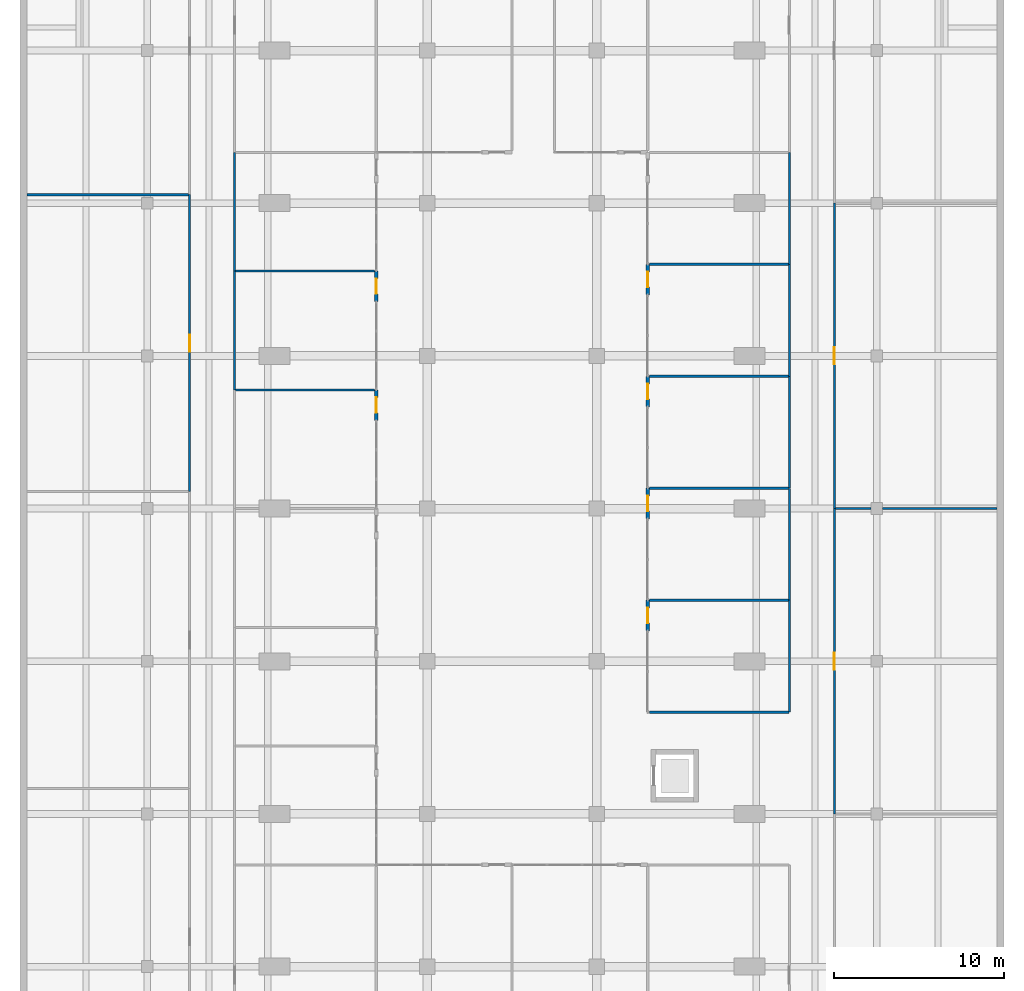
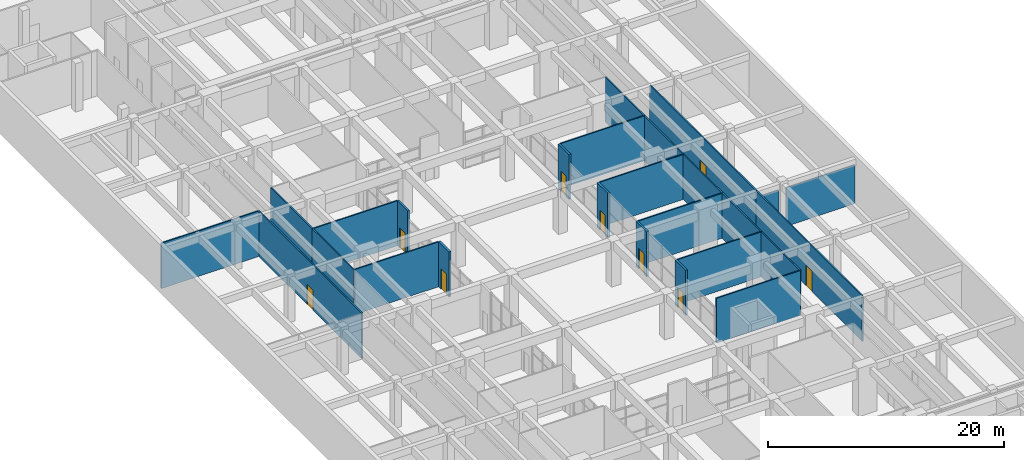
# One storey, part 21 of 29: 26 walls, 9 doors, 9 openings.
"""IFC4 building model written with IfcOpenShell, lengths in metres."""

from ifc_helpers import new_model, si_unit, direction, frame, frame_2d, origin, place, context, subcontext, project, spatial, rectangle, extrude, material, layer, layer_set, type_object, element, fill, save


model = new_model("IFC4")

# Units and contexts
model_context = context("Model", 3, precision=1e-05, world=origin(), true_north=direction((0.0, 1.0)))
body_context = subcontext(model_context, "Body", "Model", "MODEL_VIEW")
ifc_project = project(units=[si_unit("LENGTHUNIT", "METRE"), si_unit("AREAUNIT", "SQUARE_METRE"), si_unit("VOLUMEUNIT", "CUBIC_METRE"), si_unit("PLANEANGLEUNIT", "RADIAN"), si_unit("MASSUNIT", "GRAM", prefix="KILO")], contexts=[model_context])

# Site, building, storey
site_placement = place(None, origin())
site = spatial("IfcSite", under=ifc_project, at=site_placement, CompositionType="ELEMENT")
building_placement = place(site_placement, origin())
building = spatial("IfcBuilding", under=site, at=building_placement, Name="Elmora Arch Market Hall", CompositionType="ELEMENT")
storey_placement = place(building_placement, frame((0.0, 0.0, -5.0)))
storey = spatial("IfcBuildingStorey", under=building, at=storey_placement, Name="LG", CompositionType="ELEMENT", Elevation=-5.0)

# Wall, opening, door
ifc_material_1 = material(Name="Concrete C40/50", Category="concrete")
ifc_layer_1 = layer(ifc_material_1, 0.199951171875)
ifc_layer_set_1 = layer_set([ifc_layer_1], Name="Concrete C40/50")
wall_type_1 = type_object("IfcWallType", Name="Concrete shopfront pier 200", PredefinedType="PARTITIONING", material=ifc_layer_set_1)
wall_1_placement = place(storey_placement, frame((21.0, 68.199951171875, 0.0), z_axis=(0.0, 0.0, 1.0), x_axis=(0.0, 1.0, 0.0)))
wall_1 = element("IfcWall", 1, at=wall_1_placement, inside=storey, type_object=wall_type_1, Name="Lower ground shopfront pier W4", PredefinedType="PARTITIONING", context=body_context, shape_type="SweptSolid", body=[
    extrude(rectangle(XDim=1.800048828125, YDim=0.199951171875, at=frame_2d((0.89990234375, 0.0))), origin(), (0.0, 0.0, 1.0), 4.64990234375),
])
opening_1_placement = place(wall_1_placement, frame((0.449951171875, 0.0, 0.0)))
opening_1 = element("IfcOpeningElement", 2, at=opening_1_placement, cuts=wall_1, Name="Opening SD-LG-W4", PredefinedType="OPENING", context=body_context, shape_type="SweptSolid", body=[
    extrude(rectangle(XDim=0.89990234375, YDim=2.10009765625, at=frame_2d((0.449951171875, 1.050048828125))), frame((0.0, 0.10986328125, 0.0), z_axis=(0.0, -1.0, 0.0), x_axis=(1.0, 0.0, 0.0)), (0.0, 0.0, 1.0), 0.219970703125),
])
ifc_material_2 = material(Name="Glazed aluminium", Category="aluminium")
door_type_1 = type_object("IfcDoorType", Name="Lower ground shop door 900x2100", OperationType="SINGLE_SWING_LEFT", PredefinedType="DOOR", material=ifc_material_2)
door_1_placement = place(opening_1_placement, origin())
door_1 = element("IfcDoor", 3, at=door_1_placement, inside=storey, type_object=door_type_1, Name="Lower ground shop door W4", OperationType="SINGLE_SWING_RIGHT", OverallHeight=2.10009765625, OverallWidth=0.89990234375, PredefinedType="DOOR", context=body_context, shape_type="SweptSolid", body=[
    extrude(rectangle(XDim=0.89990234375, YDim=2.10009765625, at=frame_2d((0.449951171875, 1.050048828125))), frame((0.0, 0.02490234375, 0.0), z_axis=(0.0, -1.0, 0.0), x_axis=(1.0, 0.0, 0.0)), (0.0, 0.0, 1.0), 0.050048828125),
])
fill(opening_1, door_1)

wall_2_placement = place(storey_placement, frame((21.0, 75.199951171875, 0.0), z_axis=(0.0, 0.0, 1.0), x_axis=(0.0, 1.0, 0.0)))
wall_2 = element("IfcWall", 4, at=wall_2_placement, inside=storey, type_object=wall_type_1, Name="Lower ground shopfront pier W5", PredefinedType="PARTITIONING", context=body_context, shape_type="SweptSolid", body=[
    extrude(rectangle(XDim=1.800048828125, YDim=0.199951171875, at=frame_2d((0.89990234375, 0.0))), origin(), (0.0, 0.0, 1.0), 4.64990234375),
])
opening_2_placement = place(wall_2_placement, frame((0.449951171875, 0.0, 0.0)))
opening_2 = element("IfcOpeningElement", 5, at=opening_2_placement, cuts=wall_2, Name="Opening SD-LG-W5", PredefinedType="OPENING", context=body_context, shape_type="SweptSolid", body=[
    extrude(rectangle(XDim=0.89990234375, YDim=2.10009765625, at=frame_2d((0.449951171875, 1.050048828125))), frame((0.0, 0.10986328125, 0.0), z_axis=(0.0, -1.0, 0.0), x_axis=(1.0, 0.0, 0.0)), (0.0, 0.0, 1.0), 0.219970703125),
])
door_2_placement = place(opening_2_placement, origin())
door_2 = element("IfcDoor", 6, at=door_2_placement, inside=storey, type_object=door_type_1, Name="Lower ground shop door W5", OperationType="SINGLE_SWING_RIGHT", OverallHeight=2.10009765625, OverallWidth=0.89990234375, PredefinedType="DOOR", context=body_context, shape_type="SweptSolid", body=[
    extrude(rectangle(XDim=0.89990234375, YDim=2.10009765625, at=frame_2d((0.449951171875, 1.050048828125))), frame((0.0, 0.02490234375, 0.0), z_axis=(0.0, -1.0, 0.0), x_axis=(1.0, 0.0, 0.0)), (0.0, 0.0, 1.0), 0.050048828125),
])
fill(opening_2, door_2)

wall_3_placement = place(storey_placement, frame((37.0, 57.60009765625, 0.0), z_axis=(0.0, 0.0, 1.0), x_axis=(0.0, -1.0, 0.0)))
wall_3 = element("IfcWall", 7, at=wall_3_placement, inside=storey, type_object=wall_type_1, Name="Lower ground shopfront pier E1", PredefinedType="PARTITIONING", context=body_context, shape_type="SweptSolid", body=[
    extrude(rectangle(XDim=1.800048828125, YDim=0.199951171875, at=frame_2d((0.89990234375, 0.0))), origin(), (0.0, 0.0, 1.0), 4.64990234375),
])
opening_3_placement = place(wall_3_placement, frame((0.449951171875, 0.0, 0.0)))
opening_3 = element("IfcOpeningElement", 8, at=opening_3_placement, cuts=wall_3, Name="Opening SD-LG-E1", PredefinedType="OPENING", context=body_context, shape_type="SweptSolid", body=[
    extrude(rectangle(XDim=0.89990234375, YDim=2.10009765625, at=frame_2d((0.449951171875, 1.050048828125))), frame((0.0, 0.10986328125, 0.0), z_axis=(0.0, -1.0, 0.0), x_axis=(1.0, 0.0, 0.0)), (0.0, 0.0, 1.0), 0.219970703125),
])
door_3_placement = place(opening_3_placement, origin())
door_3 = element("IfcDoor", 9, at=door_3_placement, inside=storey, type_object=door_type_1, Name="Lower ground shop door E1", OperationType="SINGLE_SWING_LEFT", OverallHeight=2.10009765625, OverallWidth=0.89990234375, PredefinedType="DOOR", context=body_context, shape_type="SweptSolid", body=[
    extrude(rectangle(XDim=0.89990234375, YDim=2.10009765625, at=frame_2d((0.449951171875, 1.050048828125))), frame((0.0, 0.02490234375, 0.0), z_axis=(0.0, -1.0, 0.0), x_axis=(1.0, 0.0, 0.0)), (0.0, 0.0, 1.0), 0.050048828125),
])
fill(opening_3, door_3)

wall_4_placement = place(storey_placement, frame((37.0, 64.199951171875, 0.0), z_axis=(0.0, 0.0, 1.0), x_axis=(0.0, -1.0, 0.0)))
wall_4 = element("IfcWall", 10, at=wall_4_placement, inside=storey, type_object=wall_type_1, Name="Lower ground shopfront pier E2", PredefinedType="PARTITIONING", context=body_context, shape_type="SweptSolid", body=[
    extrude(rectangle(XDim=1.800048828125, YDim=0.199951171875, at=frame_2d((0.89990234375, 0.0))), origin(), (0.0, 0.0, 1.0), 4.64990234375),
])
opening_4_placement = place(wall_4_placement, frame((0.449951171875, 0.0, 0.0)))
opening_4 = element("IfcOpeningElement", 11, at=opening_4_placement, cuts=wall_4, Name="Opening SD-LG-E2", PredefinedType="OPENING", context=body_context, shape_type="SweptSolid", body=[
    extrude(rectangle(XDim=0.89990234375, YDim=2.10009765625, at=frame_2d((0.449951171875, 1.050048828125))), frame((0.0, 0.10986328125, 0.0), z_axis=(0.0, -1.0, 0.0), x_axis=(1.0, 0.0, 0.0)), (0.0, 0.0, 1.0), 0.219970703125),
])
door_4_placement = place(opening_4_placement, origin())
door_4 = element("IfcDoor", 12, at=door_4_placement, inside=storey, type_object=door_type_1, Name="Lower ground shop door E2", OperationType="SINGLE_SWING_LEFT", OverallHeight=2.10009765625, OverallWidth=0.89990234375, PredefinedType="DOOR", context=body_context, shape_type="SweptSolid", body=[
    extrude(rectangle(XDim=0.89990234375, YDim=2.10009765625, at=frame_2d((0.449951171875, 1.050048828125))), frame((0.0, 0.02490234375, 0.0), z_axis=(0.0, -1.0, 0.0), x_axis=(1.0, 0.0, 0.0)), (0.0, 0.0, 1.0), 0.050048828125),
])
fill(opening_4, door_4)

wall_5_placement = place(storey_placement, frame((37.0, 70.800048828125, 0.0), z_axis=(0.0, 0.0, 1.0), x_axis=(0.0, -1.0, 0.0)))
wall_5 = element("IfcWall", 13, at=wall_5_placement, inside=storey, type_object=wall_type_1, Name="Lower ground shopfront pier E3", PredefinedType="PARTITIONING", context=body_context, shape_type="SweptSolid", body=[
    extrude(rectangle(XDim=1.800048828125, YDim=0.199951171875, at=frame_2d((0.89990234375, 0.0))), origin(), (0.0, 0.0, 1.0), 4.64990234375),
])
opening_5_placement = place(wall_5_placement, frame((0.449951171875, 0.0, 0.0)))
opening_5 = element("IfcOpeningElement", 14, at=opening_5_placement, cuts=wall_5, Name="Opening SD-LG-E3", PredefinedType="OPENING", context=body_context, shape_type="SweptSolid", body=[
    extrude(rectangle(XDim=0.89990234375, YDim=2.10009765625, at=frame_2d((0.449951171875, 1.050048828125))), frame((0.0, 0.10986328125, 0.0), z_axis=(0.0, -1.0, 0.0), x_axis=(1.0, 0.0, 0.0)), (0.0, 0.0, 1.0), 0.219970703125),
])
door_5_placement = place(opening_5_placement, origin())
door_5 = element("IfcDoor", 15, at=door_5_placement, inside=storey, type_object=door_type_1, Name="Lower ground shop door E3", OperationType="SINGLE_SWING_LEFT", OverallHeight=2.10009765625, OverallWidth=0.89990234375, PredefinedType="DOOR", context=body_context, shape_type="SweptSolid", body=[
    extrude(rectangle(XDim=0.89990234375, YDim=2.10009765625, at=frame_2d((0.449951171875, 1.050048828125))), frame((0.0, 0.02490234375, 0.0), z_axis=(0.0, -1.0, 0.0), x_axis=(1.0, 0.0, 0.0)), (0.0, 0.0, 1.0), 0.050048828125),
])
fill(opening_5, door_5)

wall_6_placement = place(storey_placement, frame((37.0, 77.39990234375, 0.0), z_axis=(0.0, 0.0, 1.0), x_axis=(0.0, -1.0, 0.0)))
wall_6 = element("IfcWall", 16, at=wall_6_placement, inside=storey, type_object=wall_type_1, Name="Lower ground shopfront pier E4", PredefinedType="PARTITIONING", context=body_context, shape_type="SweptSolid", body=[
    extrude(rectangle(XDim=1.7998046875, YDim=0.199951171875, at=frame_2d((0.89990234375, 0.0))), origin(), (0.0, 0.0, 1.0), 4.64990234375),
])
opening_6_placement = place(wall_6_placement, frame((0.449951171875, 0.0, 0.0)))
opening_6 = element("IfcOpeningElement", 17, at=opening_6_placement, cuts=wall_6, Name="Opening SD-LG-E4", PredefinedType="OPENING", context=body_context, shape_type="SweptSolid", body=[
    extrude(rectangle(XDim=0.89990234375, YDim=2.10009765625, at=frame_2d((0.449951171875, 1.050048828125))), frame((0.0, 0.10986328125, 0.0), z_axis=(0.0, -1.0, 0.0), x_axis=(1.0, 0.0, 0.0)), (0.0, 0.0, 1.0), 0.219970703125),
])
door_6_placement = place(opening_6_placement, origin())
door_6 = element("IfcDoor", 18, at=door_6_placement, inside=storey, type_object=door_type_1, Name="Lower ground shop door E4", OperationType="SINGLE_SWING_LEFT", OverallHeight=2.10009765625, OverallWidth=0.89990234375, PredefinedType="DOOR", context=body_context, shape_type="SweptSolid", body=[
    extrude(rectangle(XDim=0.89990234375, YDim=2.10009765625, at=frame_2d((0.449951171875, 1.050048828125))), frame((0.0, 0.02490234375, 0.0), z_axis=(0.0, -1.0, 0.0), x_axis=(1.0, 0.0, 0.0)), (0.0, 0.0, 1.0), 0.050048828125),
])
fill(opening_6, door_6)

# Walls
ifc_material_3 = material(Name="Gypsum board on metal studs")
ifc_layer_2 = layer(ifc_material_3, 0.125)
ifc_layer_set_2 = layer_set([ifc_layer_2], Name="Gypsum board on metal studs")
wall_type_2 = type_object("IfcWallType", Name="Partition 125 EI 60", PredefinedType="PARTITIONING", material=ifc_layer_set_2)
wall_7_placement = place(storey_placement, frame((37.10009765625, 51.0, 0.0), z_axis=(0.0, 0.0, 1.0), x_axis=(1.0, 0.0, 0.0)))
element("IfcWall", 19, at=wall_7_placement, inside=storey, type_object=wall_type_2, Name="Partition PT-LG-025", PredefinedType="PARTITIONING", context=body_context, shape_type="SweptSolid", body=[
    extrude(rectangle(XDim=8.239990234375, YDim=0.125, at=frame_2d((4.1201171875, 0.0))), origin(), (0.0, 0.0, 1.0), 4.64990234375),
])
wall_8_placement = place(storey_placement, frame((37.10009765625, 57.60009765625, 0.0), z_axis=(0.0, 0.0, 1.0), x_axis=(1.0, 0.0, 0.0)))
element("IfcWall", 20, at=wall_8_placement, inside=storey, type_object=wall_type_2, Name="Partition PT-LG-027", PredefinedType="PARTITIONING", context=body_context, shape_type="SweptSolid", body=[
    extrude(rectangle(XDim=8.1875, YDim=0.125, at=frame_2d((4.09375, 0.0))), origin(), (0.0, 0.0, 1.0), 4.64990234375),
])
wall_9_placement = place(storey_placement, frame((48.0625, 63.0, 0.0), z_axis=(0.0, 0.0, 1.0), x_axis=(1.0, 0.0, 0.0)))
element("IfcWall", 21, at=wall_9_placement, inside=storey, type_object=wall_type_2, Name="Partition PT-LG-030-31", PredefinedType="PARTITIONING", context=body_context, shape_type="SweptSolid", body=[
    extrude(rectangle(XDim=2.08740234375, YDim=0.125, at=frame_2d((1.043701171875, 0.0))), origin(), (0.0, 0.0, 1.0), 4.0),
])
wall_10_placement = place(storey_placement, frame((50.85009765625, 63.0, 0.0), z_axis=(0.0, 0.0, 1.0), x_axis=(1.0, 0.0, 0.0)))
element("IfcWall", 22, at=wall_10_placement, inside=storey, type_object=wall_type_2, Name="Partition PT-LG-030-32", PredefinedType="PARTITIONING", context=body_context, shape_type="SweptSolid", body=[
    extrude(rectangle(XDim=6.75, YDim=0.125, at=frame_2d((3.375, 0.0))), origin(), (0.0, 0.0, 1.0), 4.0),
])
for number, where, z_axis, x_axis, name in (
    (23, (37.10009765625, 64.199951171875, 0.0), (0.0, 0.0, 1.0), (1.0, 0.0, 0.0), "Partition PT-LG-032"),
    (24, (12.71240234375, 70.0, 0.0), (0.0, 0.0, 1.0), (1.0, 0.0, 0.0), "Partition PT-LG-033"),
    (25, (37.10009765625, 70.800048828125, 0.0), (0.0, 0.0, 1.0), (1.0, 0.0, 0.0), "Partition PT-LG-034"),
    (26, (12.71240234375, 77.0, 0.0), (0.0, 0.0, 1.0), (1.0, 0.0, 0.0), "Partition PT-LG-035"),
    (27, (37.10009765625, 77.39990234375, 0.0), (0.0, 0.0, 1.0), (1.0, 0.0, 0.0), "Partition PT-LG-036"),
):
    element("IfcWall", number, at=place(storey_placement, frame(where, z_axis=z_axis, x_axis=x_axis)), inside=storey, type_object=wall_type_2, Name=name, PredefinedType="PARTITIONING", context=body_context, shape_type="SweptSolid", body=[
        extrude(rectangle(XDim=8.1875, YDim=0.125, at=frame_2d((4.09375, 0.0))), origin(), (0.0, 0.0, 1.0), 4.64990234375),
    ])
wall_11_placement = place(storey_placement, frame((0.39990234375, 81.5, 0.0), z_axis=(0.0, 0.0, 1.0), x_axis=(1.0, 0.0, 0.0)))
element("IfcWall", 28, at=wall_11_placement, inside=storey, type_object=wall_type_2, Name="Partition PT-LG-038", PredefinedType="PARTITIONING", context=body_context, shape_type="SweptSolid", body=[
    extrude(rectangle(XDim=9.53759765625, YDim=0.125, at=frame_2d((4.768798828125, 0.0))), origin(), (0.0, 0.0, 1.0), 4.699951171875),
])

# Wall, opening, door
wall_12_placement = place(storey_placement, frame((10.0, 64.0, 0.0), z_axis=(0.0, 0.0, 1.0), x_axis=(0.0, 1.0, 0.0)))
wall_12 = element("IfcWall", 29, at=wall_12_placement, inside=storey, type_object=wall_type_2, Name="Partition PT-LG-080", PredefinedType="PARTITIONING", context=body_context, shape_type="SweptSolid", body=[
    extrude(rectangle(XDim=17.5, YDim=0.125, at=frame_2d((8.75, 0.0))), origin(), (0.0, 0.0, 1.0), 4.699951171875),
])
opening_7_placement = place(wall_12_placement, frame((8.25, 0.0, 0.0)))
opening_7 = element("IfcOpeningElement", 30, at=opening_7_placement, cuts=wall_12, Name="Opening D-LG-014", PredefinedType="OPENING", context=body_context, shape_type="SweptSolid", body=[
    extrude(rectangle(XDim=1.0, YDim=2.10009765625, at=frame_2d((0.5, 1.050048828125))), frame((0.0, 0.072509765625, 0.0), z_axis=(0.0, -1.0, 0.0), x_axis=(1.0, 0.0, 0.0)), (0.0, 0.0, 1.0), 0.14501953125),
])
ifc_material_4 = material(Name="Steel ASTM A653 galvanised", Category="steel")
door_type_2 = type_object("IfcDoorType", Name="Door 1000 x 2100 FD45", OperationType="SINGLE_SWING_LEFT", PredefinedType="DOOR", material=ifc_material_4)
door_7_placement = place(opening_7_placement, origin())
door_7 = element("IfcDoor", 31, at=door_7_placement, inside=storey, type_object=door_type_2, Name="D-LG-014", OperationType="SINGLE_SWING_LEFT", OverallHeight=2.10009765625, OverallWidth=1.0, PredefinedType="DOOR", context=body_context, shape_type="SweptSolid", body=[
    extrude(rectangle(XDim=1.0, YDim=2.10009765625, at=frame_2d((0.5, 1.050048828125))), frame((0.0, 0.02490234375, 0.0), z_axis=(0.0, -1.0, 0.0), x_axis=(1.0, 0.0, 0.0)), (0.0, 0.0, 1.0), 0.050048828125),
])
fill(opening_7, door_7)

# Walls
for number, where, z_axis, x_axis, name in (
    (32, (12.64990234375, 70.0, 0.0), (0.0, 0.0, 1.0), (0.0, 1.0, 0.0), "Partition PT-LG-089"),
    (33, (12.64990234375, 77.0, 0.0), (0.0, 0.0, 1.0), (0.0, 1.0, 0.0), "Partition PT-LG-090"),
):
    element("IfcWall", number, at=place(storey_placement, frame(where, z_axis=z_axis, x_axis=x_axis)), inside=storey, type_object=wall_type_2, Name=name, PredefinedType="PARTITIONING", context=body_context, shape_type="SweptSolid", body=[
        extrude(rectangle(XDim=7.0, YDim=0.125, at=frame_2d((3.5, 0.0))), origin(), (0.0, 0.0, 1.0), 4.64990234375),
    ])
wall_13_placement = place(storey_placement, frame((45.35009765625, 51.010009765625, 0.0), z_axis=(0.0, 0.0, 1.0), x_axis=(0.0, 1.0, 0.0)))
element("IfcWall", 34, at=wall_13_placement, inside=storey, type_object=wall_type_2, Name="Partition PT-LG-111", PredefinedType="PARTITIONING", context=body_context, shape_type="SweptSolid", body=[
    extrude(rectangle(XDim=6.590087890625, YDim=0.125, at=frame_2d((3.294921875, 0.0))), origin(), (0.0, 0.0, 1.0), 4.64990234375),
])
wall_14_placement = place(storey_placement, frame((45.35009765625, 57.60009765625, 0.0), z_axis=(0.0, 0.0, 1.0), x_axis=(0.0, 1.0, 0.0)))
element("IfcWall", 35, at=wall_14_placement, inside=storey, type_object=wall_type_2, Name="Partition PT-LG-112", PredefinedType="PARTITIONING", context=body_context, shape_type="SweptSolid", body=[
    extrude(rectangle(XDim=6.599853515625, YDim=0.125, at=frame_2d((3.2998046875, 0.0))), origin(), (0.0, 0.0, 1.0), 4.64990234375),
])
wall_15_placement = place(storey_placement, frame((45.35009765625, 64.199951171875, 0.0), z_axis=(0.0, 0.0, 1.0), x_axis=(0.0, 1.0, 0.0)))
element("IfcWall", 36, at=wall_15_placement, inside=storey, type_object=wall_type_2, Name="Partition PT-LG-113", PredefinedType="PARTITIONING", context=body_context, shape_type="SweptSolid", body=[
    extrude(rectangle(XDim=6.60009765625, YDim=0.125, at=frame_2d((3.300048828125, 0.0))), origin(), (0.0, 0.0, 1.0), 4.64990234375),
])
wall_16_placement = place(storey_placement, frame((45.35009765625, 70.800048828125, 0.0), z_axis=(0.0, 0.0, 1.0), x_axis=(0.0, 1.0, 0.0)))
element("IfcWall", 37, at=wall_16_placement, inside=storey, type_object=wall_type_2, Name="Partition PT-LG-114", PredefinedType="PARTITIONING", context=body_context, shape_type="SweptSolid", body=[
    extrude(rectangle(XDim=6.599853515625, YDim=0.125, at=frame_2d((3.2998046875, 0.0))), origin(), (0.0, 0.0, 1.0), 4.64990234375),
])
wall_17_placement = place(storey_placement, frame((45.35009765625, 77.39990234375, 0.0), z_axis=(0.0, 0.0, 1.0), x_axis=(0.0, 1.0, 0.0)))
element("IfcWall", 38, at=wall_17_placement, inside=storey, type_object=wall_type_2, Name="Partition PT-LG-115", PredefinedType="PARTITIONING", context=body_context, shape_type="SweptSolid", body=[
    extrude(rectangle(XDim=6.60009765625, YDim=0.125, at=frame_2d((3.300048828125, 0.0))), origin(), (0.0, 0.0, 1.0), 4.64990234375),
])

# Wall, opening, door
wall_18_placement = place(storey_placement, frame((48.0, 45.0, 0.0), z_axis=(0.0, 0.0, 1.0), x_axis=(0.0, 1.0, 0.0)))
wall_18 = element("IfcWall", 39, at=wall_18_placement, inside=storey, type_object=wall_type_2, Name="Partition PT-LG-119", PredefinedType="PARTITIONING", context=body_context, shape_type="SweptSolid", body=[
    extrude(rectangle(XDim=18.0, YDim=0.125, at=frame_2d((9.0, 0.0))), origin(), (0.0, 0.0, 1.0), 4.699951171875),
])
opening_8_placement = place(wall_18_placement, frame((8.5, 0.0, 0.0)))
opening_8 = element("IfcOpeningElement", 40, at=opening_8_placement, cuts=wall_18, Name="Opening D-LG-011", PredefinedType="OPENING", context=body_context, shape_type="SweptSolid", body=[
    extrude(rectangle(XDim=1.0, YDim=2.10009765625, at=frame_2d((0.5, 1.050048828125))), frame((0.0, 0.072509765625, 0.0), z_axis=(0.0, -1.0, 0.0), x_axis=(1.0, 0.0, 0.0)), (0.0, 0.0, 1.0), 0.14501953125),
])
door_8_placement = place(opening_8_placement, frame((1.0, 0.0, 0.0), z_axis=(0.0, 0.0, 1.0), x_axis=(-1.0, 0.0, 0.0)))
door_8 = element("IfcDoor", 41, at=door_8_placement, inside=storey, type_object=door_type_2, Name="D-LG-011", OperationType="SINGLE_SWING_RIGHT", OverallHeight=2.10009765625, OverallWidth=1.0, PredefinedType="DOOR", context=body_context, shape_type="SweptSolid", body=[
    extrude(rectangle(XDim=1.0, YDim=2.10009765625, at=frame_2d((0.5, 1.050048828125))), frame((0.0, 0.02490234375, 0.0), z_axis=(0.0, -1.0, 0.0), x_axis=(1.0, 0.0, 0.0)), (0.0, 0.0, 1.0), 0.050048828125),
])
fill(opening_8, door_8)

wall_19_placement = place(storey_placement, frame((48.0, 63.0, 0.0), z_axis=(0.0, 0.0, 1.0), x_axis=(0.0, 1.0, 0.0)))
wall_19 = element("IfcWall", 42, at=wall_19_placement, inside=storey, type_object=wall_type_2, Name="Partition PT-LG-120", PredefinedType="PARTITIONING", context=body_context, shape_type="SweptSolid", body=[
    extrude(rectangle(XDim=18.0, YDim=0.125, at=frame_2d((9.0, 0.0))), origin(), (0.0, 0.0, 1.0), 4.699951171875),
])
opening_9_placement = place(wall_19_placement, frame((8.5, 0.0, 0.0)))
opening_9 = element("IfcOpeningElement", 43, at=opening_9_placement, cuts=wall_19, Name="Opening D-LG-013", PredefinedType="OPENING", context=body_context, shape_type="SweptSolid", body=[
    extrude(rectangle(XDim=1.0, YDim=2.10009765625, at=frame_2d((0.5, 1.050048828125))), frame((0.0, 0.072509765625, 0.0), z_axis=(0.0, -1.0, 0.0), x_axis=(1.0, 0.0, 0.0)), (0.0, 0.0, 1.0), 0.14501953125),
])
door_9_placement = place(opening_9_placement, frame((1.0, 0.0, 0.0), z_axis=(0.0, 0.0, 1.0), x_axis=(-1.0, 0.0, 0.0)))
door_9 = element("IfcDoor", 44, at=door_9_placement, inside=storey, type_object=door_type_2, Name="D-LG-013", OperationType="SINGLE_SWING_RIGHT", OverallHeight=2.10009765625, OverallWidth=1.0, PredefinedType="DOOR", context=body_context, shape_type="SweptSolid", body=[
    extrude(rectangle(XDim=1.0, YDim=2.10009765625, at=frame_2d((0.5, 1.050048828125))), frame((0.0, 0.02490234375, 0.0), z_axis=(0.0, -1.0, 0.0), x_axis=(1.0, 0.0, 0.0)), (0.0, 0.0, 1.0), 0.050048828125),
])
fill(opening_9, door_9)

save(model, "model.ifc")
